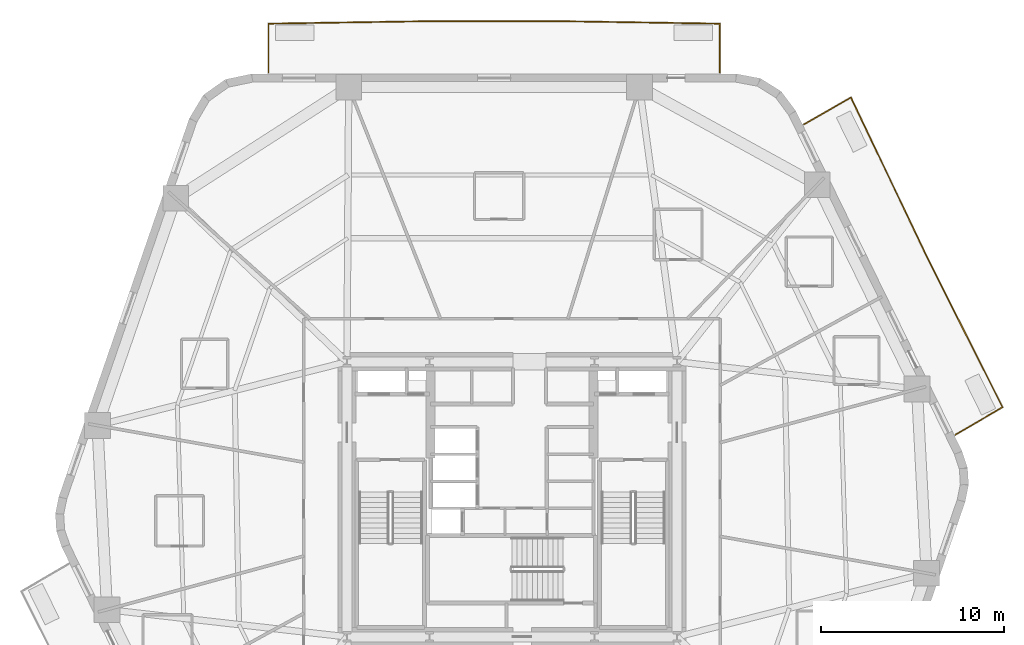
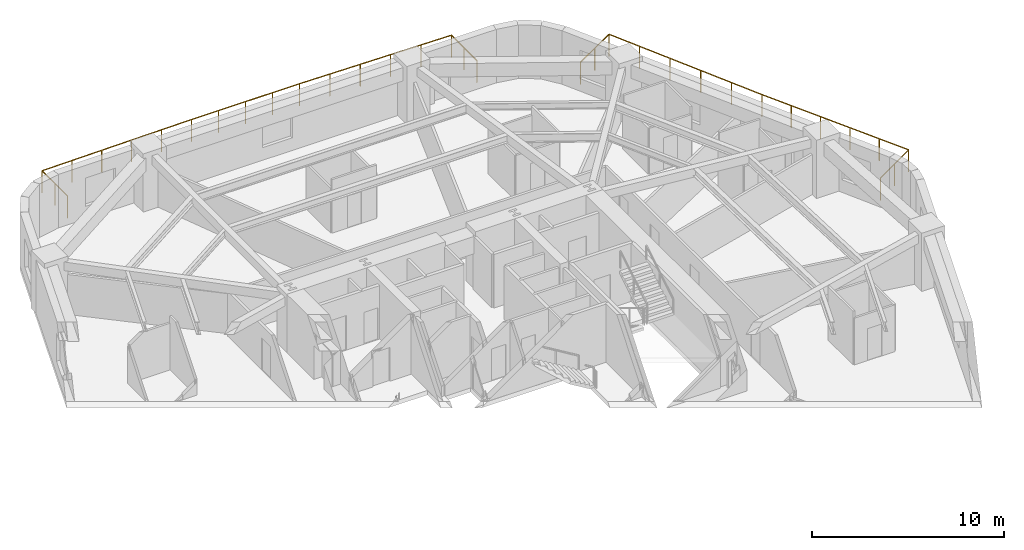
# One storey, part 10 of 10: 2 railings.
"""IFC4 building model written with IfcOpenShell, lengths in metres."""

from ifc_helpers import new_model, si_unit, direction, frame, origin, origin_2d, place, context, subcontext, project, spatial, rectangle, extrude, material, layer, layer_set, type_object, element, save


model = new_model("IFC4")

# Units and contexts
model_context = context("Model", 3, precision=1e-05, world=origin(), true_north=direction((0.0, 1.0)))
body_context = subcontext(model_context, "Body", "Model", "MODEL_VIEW")
ifc_project = project(units=[si_unit("LENGTHUNIT", "METRE"), si_unit("AREAUNIT", "SQUARE_METRE"), si_unit("VOLUMEUNIT", "CUBIC_METRE"), si_unit("PLANEANGLEUNIT", "RADIAN"), si_unit("MASSUNIT", "GRAM", prefix="KILO")], contexts=[model_context])

# Site, building, storey
site_placement = place(None, origin())
site = spatial("IfcSite", under=ifc_project, at=site_placement, CompositionType="ELEMENT")
building_placement = place(site_placement, origin())
building = spatial("IfcBuilding", under=site, at=building_placement, Name="Kilnhurst Terrace Hotel", CompositionType="ELEMENT")
storey_placement = place(building_placement, frame((0.0, 0.0, 63.800048828125)))
storey = spatial("IfcBuildingStorey", under=building, at=storey_placement, Name="L14", CompositionType="ELEMENT", Elevation=63.800048828125)

# Railings
ifc_material = material(Name="Laminated SentryGlas and Stainless Steel AISI 316L Balustrade", Category="steel")
ifc_layer = layer(ifc_material, 0.070068359375, Name="Laminated SentryGlas and Stainless Steel AISI 316L Balustrade")
ifc_layer_set = layer_set([ifc_layer], Name="Laminated SentryGlas and Stainless Steel AISI 316L Balustrade")
railing_type = type_object("IfcRailingType", Name="RLG-BAL-1420", PredefinedType="BALUSTRADE", material=ifc_layer_set)
railing_1_placement = place(storey_placement, frame((15.923095703125, 20.44873046875, 0.0)))
element("IfcRailing", 1, at=railing_1_placement, inside=storey, type_object=railing_type, Name="L14 Exterior Terrace Guardrail BAL-L1A.1", PredefinedType="BALUSTRADE", context=body_context, shape_type="SweptSolid", body=[
    extrude(rectangle(XDim=0.048095703125, YDim=0.048095703125, at=origin_2d()), frame((0.0, 0.0, 1.39599609375), z_axis=(0.86763656582, 0.497198943736, 0.0), x_axis=(-0.497198943736, 0.86763656582, 0.0)), (0.0, 0.0, 1.0), 2.95068359375),
    extrude(rectangle(XDim=0.048095703125, YDim=0.048095703125, at=origin_2d()), frame((2.56005859375, 1.467041015625, 1.39599609375), z_axis=(0.430147205624, -0.902758761516, 0.0), x_axis=(0.902758761516, 0.430147205624, 0.0)), (0.0, 0.0, 1.0), 9.67041015625),
    extrude(rectangle(XDim=0.048095703125, YDim=0.048095703125, at=origin_2d()), frame((6.7197265625, -7.262939453125, 1.39599609375), z_axis=(0.514495755428, -0.857492925713, 0.0), x_axis=(0.857492925713, 0.514495755428, 0.0)), (0.0, 0.0, 1.0), 0.00146484375),
    extrude(rectangle(XDim=0.048095703125, YDim=0.048095703125, at=origin_2d()), frame((6.720458984375, -7.26416015625, 1.39599609375), z_axis=(0.449648824937, -0.89320542667, 0.0), x_axis=(0.89320542667, 0.449648824937, 0.0)), (0.0, 0.0, 1.0), 9.136962890625),
    extrude(rectangle(XDim=0.048095703125, YDim=0.048095703125, at=origin_2d()), frame((10.828857421875, -15.42529296875, 1.39599609375), z_axis=(-0.863737120301, -0.503942642584, 0.0), x_axis=(0.503942642584, -0.863737120301, 0.0)), (0.0, 0.0, 1.0), 2.96728515625),
    extrude(rectangle(XDim=0.0419921875, YDim=0.0419921875, at=origin_2d()), origin(), (0.0, 0.0, 1.0), 1.371826171875),
    extrude(rectangle(XDim=0.0419921875, YDim=0.0419921875, at=origin_2d()), frame((1.280029296875, 0.7333984375, 0.0)), (0.0, 0.0, 1.0), 1.371826171875),
    extrude(rectangle(XDim=0.0419921875, YDim=0.0419921875, at=origin_2d()), frame((2.56005859375, 1.467041015625, 0.0)), (0.0, 0.0, 1.0), 1.371826171875),
    extrude(rectangle(XDim=0.0419921875, YDim=0.0419921875, at=origin_2d()), frame((3.39208984375, -0.279052734375, 0.0)), (0.0, 0.0, 1.0), 1.371826171875),
    extrude(rectangle(XDim=0.0419921875, YDim=0.0419921875, at=origin_2d()), frame((4.223876953125, -2.02490234375, 0.0)), (0.0, 0.0, 1.0), 1.371826171875),
    extrude(rectangle(XDim=0.0419921875, YDim=0.0419921875, at=origin_2d()), frame((5.055908203125, -3.77099609375, 0.0)), (0.0, 0.0, 1.0), 1.371826171875),
    extrude(rectangle(XDim=0.0419921875, YDim=0.0419921875, at=origin_2d()), frame((5.8876953125, -5.516845703125, 0.0)), (0.0, 0.0, 1.0), 1.371826171875),
    extrude(rectangle(XDim=0.0419921875, YDim=0.0419921875, at=origin_2d()), frame((6.7197265625, -7.262939453125, 0.0)), (0.0, 0.0, 1.0), 1.371826171875),
    extrude(rectangle(XDim=0.0419921875, YDim=0.0419921875, at=origin_2d()), frame((6.720458984375, -7.26416015625, 0.0)), (0.0, 0.0, 1.0), 1.371826171875),
    extrude(rectangle(XDim=0.0419921875, YDim=0.0419921875, at=origin_2d()), frame((7.542236328125, -8.896484375, 0.0)), (0.0, 0.0, 1.0), 1.371826171875),
    extrude(rectangle(XDim=0.0419921875, YDim=0.0419921875, at=origin_2d()), frame((8.36376953125, -10.528564453125, 0.0)), (0.0, 0.0, 1.0), 1.371826171875),
    extrude(rectangle(XDim=0.0419921875, YDim=0.0419921875, at=origin_2d()), frame((9.185546875, -12.160888671875, 0.0)), (0.0, 0.0, 1.0), 1.371826171875),
    extrude(rectangle(XDim=0.0419921875, YDim=0.0419921875, at=origin_2d()), frame((10.007080078125, -13.79296875, 0.0)), (0.0, 0.0, 1.0), 1.371826171875),
    extrude(rectangle(XDim=0.0419921875, YDim=0.0419921875, at=origin_2d()), frame((10.828857421875, -15.42529296875, 0.0)), (0.0, 0.0, 1.0), 1.371826171875),
    extrude(rectangle(XDim=0.0419921875, YDim=0.0419921875, at=origin_2d()), frame((9.54736328125, -16.1728515625, 0.0)), (0.0, 0.0, 1.0), 1.371826171875),
    extrude(rectangle(XDim=0.0419921875, YDim=0.0419921875, at=origin_2d()), frame((8.265869140625, -16.920654296875, 0.0)), (0.0, 0.0, 1.0), 1.371826171875),
])
railing_2_placement = place(storey_placement, frame((-13.281494140625, 23.280029296875, 0.0)))
element("IfcRailing", 2, at=railing_2_placement, inside=storey, type_object=railing_type, Name="L14 Exterior Terrace Guardrail BAL-L1B.1", PredefinedType="BALUSTRADE", context=body_context, shape_type="SweptSolid", body=[
    extrude(rectangle(XDim=0.048095703125, YDim=0.048095703125, at=origin_2d()), frame((0.0, 0.0, 1.39599609375), z_axis=(0.0, 1.0, 0.0), x_axis=(-1.0, 0.0, 0.0)), (0.0, 0.0, 1.0), 2.660888671875),
    extrude(rectangle(XDim=0.048095703125, YDim=0.048095703125, at=origin_2d()), frame((0.0, 2.660888671875, 1.39599609375), z_axis=(0.999881869157, 0.015370352358, 0.0), x_axis=(-0.015370352358, 0.999881869157, 0.0)), (0.0, 0.0, 1.0), 9.0537109375),
    extrude(rectangle(XDim=0.048095703125, YDim=0.048095703125, at=origin_2d()), frame((9.052734375, 2.800048828125, 1.39599609375), z_axis=(1.0, 0.0, 0.0), x_axis=(0.0, 1.0, 0.0)), (0.0, 0.0, 1.0), 6.508056640625),
    extrude(rectangle(XDim=0.048095703125, YDim=0.048095703125, at=origin_2d()), frame((15.560791015625, 2.800048828125, 1.39599609375), z_axis=(0.999881869157, -0.015370352358, 0.0), x_axis=(0.015370352358, 0.999881869157, 0.0)), (0.0, 0.0, 1.0), 9.0537109375),
    extrude(rectangle(XDim=0.048095703125, YDim=0.048095703125, at=origin_2d()), frame((24.613525390625, 2.660888671875, 1.39599609375), z_axis=(0.0, -1.0, 0.0), x_axis=(1.0, 0.0, 0.0)), (0.0, 0.0, 1.0), 2.660888671875),
    extrude(rectangle(XDim=0.0419921875, YDim=0.0419921875, at=origin_2d()), origin(), (0.0, 0.0, 1.0), 1.371826171875),
    extrude(rectangle(XDim=0.0419921875, YDim=0.0419921875, at=origin_2d()), frame((0.0, 1.33056640625, 0.0)), (0.0, 0.0, 1.0), 1.371826171875),
    extrude(rectangle(XDim=0.0419921875, YDim=0.0419921875, at=origin_2d()), frame((0.0, 2.660888671875, 0.0)), (0.0, 0.0, 1.0), 1.371826171875),
    extrude(rectangle(XDim=0.0419921875, YDim=0.0419921875, at=origin_2d()), frame((1.810546875, 2.688720703125, 0.0)), (0.0, 0.0, 1.0), 1.371826171875),
    extrude(rectangle(XDim=0.0419921875, YDim=0.0419921875, at=origin_2d()), frame((3.62109375, 2.716552734375, 0.0)), (0.0, 0.0, 1.0), 1.371826171875),
    extrude(rectangle(XDim=0.0419921875, YDim=0.0419921875, at=origin_2d()), frame((5.431640625, 2.744384765625, 0.0)), (0.0, 0.0, 1.0), 1.371826171875),
    extrude(rectangle(XDim=0.0419921875, YDim=0.0419921875, at=origin_2d()), frame((7.2421875, 2.772216796875, 0.0)), (0.0, 0.0, 1.0), 1.371826171875),
    extrude(rectangle(XDim=0.0419921875, YDim=0.0419921875, at=origin_2d()), frame((9.052734375, 2.800048828125, 0.0)), (0.0, 0.0, 1.0), 1.371826171875),
    extrude(rectangle(XDim=0.0419921875, YDim=0.0419921875, at=origin_2d()), frame((10.6796875, 2.800048828125, 0.0)), (0.0, 0.0, 1.0), 1.371826171875),
    extrude(rectangle(XDim=0.0419921875, YDim=0.0419921875, at=origin_2d()), frame((12.306640625, 2.800048828125, 0.0)), (0.0, 0.0, 1.0), 1.371826171875),
    extrude(rectangle(XDim=0.0419921875, YDim=0.0419921875, at=origin_2d()), frame((13.933837890625, 2.800048828125, 0.0)), (0.0, 0.0, 1.0), 1.371826171875),
    extrude(rectangle(XDim=0.0419921875, YDim=0.0419921875, at=origin_2d()), frame((15.560791015625, 2.800048828125, 0.0)), (0.0, 0.0, 1.0), 1.371826171875),
    extrude(rectangle(XDim=0.0419921875, YDim=0.0419921875, at=origin_2d()), frame((17.371337890625, 2.772216796875, 0.0)), (0.0, 0.0, 1.0), 1.371826171875),
    extrude(rectangle(XDim=0.0419921875, YDim=0.0419921875, at=origin_2d()), frame((19.181884765625, 2.744384765625, 0.0)), (0.0, 0.0, 1.0), 1.371826171875),
    extrude(rectangle(XDim=0.0419921875, YDim=0.0419921875, at=origin_2d()), frame((20.992431640625, 2.716552734375, 0.0)), (0.0, 0.0, 1.0), 1.371826171875),
    extrude(rectangle(XDim=0.0419921875, YDim=0.0419921875, at=origin_2d()), frame((22.802978515625, 2.688720703125, 0.0)), (0.0, 0.0, 1.0), 1.371826171875),
    extrude(rectangle(XDim=0.0419921875, YDim=0.0419921875, at=origin_2d()), frame((24.613525390625, 2.660888671875, 0.0)), (0.0, 0.0, 1.0), 1.371826171875),
    extrude(rectangle(XDim=0.0419921875, YDim=0.0419921875, at=origin_2d()), frame((24.613525390625, 1.33056640625, 0.0)), (0.0, 0.0, 1.0), 1.371826171875),
    extrude(rectangle(XDim=0.0419921875, YDim=0.0419921875, at=origin_2d()), frame((24.613525390625, 0.0, 0.0)), (0.0, 0.0, 1.0), 1.371826171875),
])

save(model, "model.ifc")
